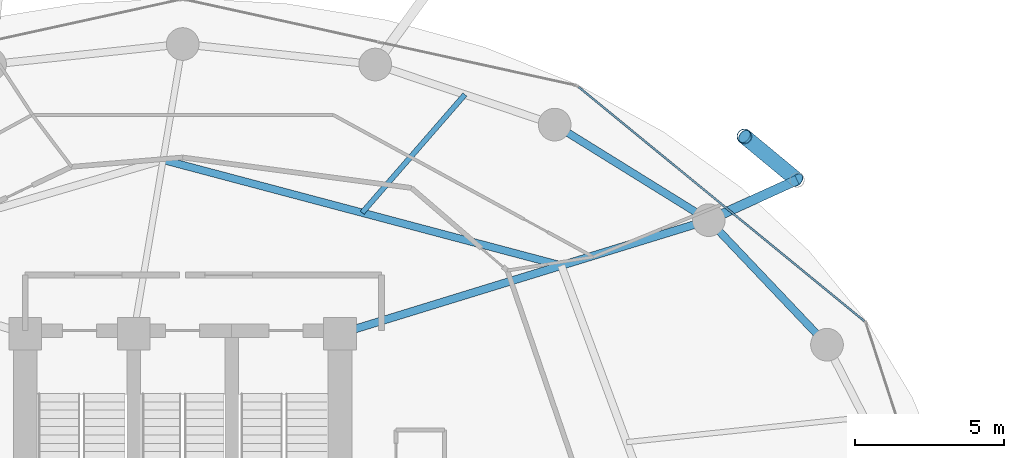
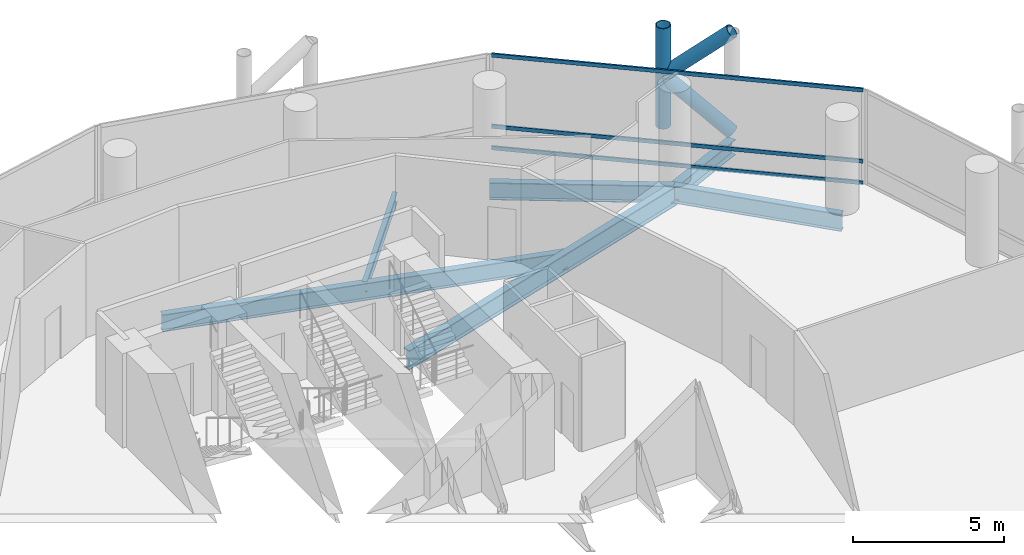
# One storey, part 17 of 25: 6 beams, 6 members, 1 element without a shape of its own.
"""IFC4 building model written with IfcOpenShell, lengths in metres."""

from ifc_helpers import new_model, si_unit, direction, frame, origin, origin_2d, place, context, subcontext, project, spatial, hollow_rectangle, hollow_circle, i_section, extrude, material, layer, layer_set, material_profile, profile_set, type_object, element, aggregate, save


model = new_model("IFC4")

# Units and contexts
model_context = context("Model", 3, precision=1e-05, world=origin(), true_north=direction((0.0, 1.0)))
body_context = subcontext(model_context, "Body", "Model", "MODEL_VIEW")
ifc_project = project(units=[si_unit("LENGTHUNIT", "METRE"), si_unit("AREAUNIT", "SQUARE_METRE"), si_unit("VOLUMEUNIT", "CUBIC_METRE"), si_unit("PLANEANGLEUNIT", "RADIAN"), si_unit("MASSUNIT", "GRAM", prefix="KILO")], contexts=[model_context])

# Site, building, storey
site_placement = place(None, origin())
site = spatial("IfcSite", under=ifc_project, at=site_placement, CompositionType="ELEMENT")
building_placement = place(site_placement, origin())
building = spatial("IfcBuilding", under=site, at=building_placement, Name="Nuhasar Tower", CompositionType="ELEMENT")
storey_placement = place(building_placement, frame((0.0, 0.0, 61.5)))
storey = spatial("IfcBuildingStorey", under=building, at=storey_placement, Name="L14", CompositionType="ELEMENT", Elevation=61.5)

# Beams
ifc_material_1 = material(Name="Steel S355", Category="steel")
ifc_material_profile_1 = material_profile(ifc_material_1, i_section(OverallWidth=0.25390625, OverallDepth=0.68408203125, WebThickness=0.012451171875, FlangeThickness=0.018798828125, at=origin_2d()), Name="W27X94")
ifc_profile_set_1 = profile_set([ifc_material_profile_1], Name="Steel S355")
beam_type_1 = type_object("IfcBeamType", Name="BM-INRING-W27X94", PredefinedType="BEAM", material=ifc_profile_set_1)
beam_1_placement = place(storey_placement, frame((51.748046875, 39.591064453125, -0.592041015625), z_axis=(-0.96653253005, 0.256544086574, 0.0), x_axis=(-0.256544086574, -0.96653253005, 0.0)))
element("IfcBeam", 1, at=beam_1_placement, inside=storey, type_object=beam_type_1, Name="L14 Inner Header Beam 05", PredefinedType="BEAM", context=body_context, shape_type="SweptSolid", body=[
    extrude(i_section(OverallWidth=0.25390625, OverallDepth=0.68408203125, WebThickness=0.012451171875, FlangeThickness=0.018798828125, at=origin_2d()), origin(), (0.0, 0.0, 1.0), 13.872314453125),
])
ifc_material_profile_2 = material_profile(ifc_material_1, i_section(OverallWidth=0.177978515625, OverallDepth=0.406005859375, WebThickness=0.0078125, FlangeThickness=0.0126953125, at=origin_2d()), Name="W16X40")
ifc_profile_set_2 = profile_set([ifc_material_profile_2], Name="Steel S355")
beam_type_2 = type_object("IfcBeamType", Name="BM-JST-W16X40", PredefinedType="JOIST", material=ifc_profile_set_2)
beam_2_placement = place(storey_placement, frame((45.0439453125, 41.3701171875, -0.452880859375), z_axis=(0.656174129694, 0.754609509296, 0.0), x_axis=(-0.754609509296, 0.656174129694, 0.0)))
element("IfcBeam", 2, at=beam_2_placement, inside=storey, type_object=beam_type_2, Name="L14 Secondary Floor Joist 05", PredefinedType="JOIST", context=body_context, shape_type="SweptSolid", body=[
    extrude(i_section(OverallWidth=0.177978515625, OverallDepth=0.406005859375, WebThickness=0.0078125, FlangeThickness=0.0126953125, at=origin_2d()), origin(), (0.0, 0.0, 1.0), 5.27294921875),
])
ifc_material_profile_3 = material_profile(ifc_material_1, i_section(OverallWidth=0.26611328125, OverallDepth=0.779052734375, WebThickness=0.0166015625, FlangeThickness=0.030029296875, at=origin_2d()), Name="W30X148")
ifc_profile_set_3 = profile_set([ifc_material_profile_3], Name="Steel S355")
beam_type_3 = type_object("IfcBeamType", Name="BM-RAD-W30X148", PredefinedType="BEAM", material=ifc_profile_set_3)
beam_3_placement = place(storey_placement, frame((44.300048828125, 37.300048828125, -0.638916015625), z_axis=(0.955789576103, 0.294051502653, 0.0), x_axis=(-0.294051502653, 0.955789576103, 0.0)))
element("IfcBeam", 3, at=beam_3_placement, inside=storey, type_object=beam_type_3, Name="L14 Radial Floor Girder 05", PredefinedType="BEAM", context=body_context, shape_type="SweptSolid", body=[
    extrude(i_section(OverallWidth=0.26611328125, OverallDepth=0.779052734375, WebThickness=0.0166015625, FlangeThickness=0.030029296875, at=origin_2d()), origin(), (0.0, 0.0, 1.0), 12.987060546875),
])
ifc_material_profile_4 = material_profile(ifc_material_1, i_section(OverallWidth=0.256103515625, OverallDepth=0.693115234375, WebThickness=0.014404296875, FlangeThickness=0.023681640625, at=origin_2d()), Name="W27X114")
ifc_profile_set_4 = profile_set([ifc_material_profile_4], Name="Steel S355")
beam_type_4 = type_object("IfcBeamType", Name="BM-RING-W27X114", PredefinedType="SPANDREL", material=ifc_profile_set_4)
beam_4_placement = place(storey_placement, frame((60.694091796875, 36.925048828125, -0.595947265625), z_axis=(-0.688480893507, 0.725254478976, 0.0), x_axis=(-0.725254478976, -0.688480893507, 0.0)))
element("IfcBeam", 4, at=beam_4_placement, inside=storey, type_object=beam_type_4, Name="L14 Perimeter Ring Spandrel 03", PredefinedType="SPANDREL", context=body_context, shape_type="SweptSolid", body=[
    extrude(i_section(OverallWidth=0.256103515625, OverallDepth=0.693115234375, WebThickness=0.014404296875, FlangeThickness=0.023681640625, at=origin_2d()), origin(), (0.0, 0.0, 1.0), 5.782470703125),
])
beam_5_placement = place(storey_placement, frame((56.712890625, 41.118896484375, -0.595947265625), z_axis=(-0.849795216549, 0.527112976439, 0.0), x_axis=(-0.527112976439, -0.849795216549, 0.0)))
element("IfcBeam", 5, at=beam_5_placement, inside=storey, type_object=beam_type_4, Name="L14 Perimeter Ring Spandrel 04", PredefinedType="SPANDREL", context=body_context, shape_type="SweptSolid", body=[
    extrude(i_section(OverallWidth=0.256103515625, OverallDepth=0.693115234375, WebThickness=0.014404296875, FlangeThickness=0.023681640625, at=origin_2d()), origin(), (0.0, 0.0, 1.0), 6.10498046875),
])
ifc_material_profile_5 = material_profile(ifc_material_1, i_section(OverallWidth=0.323974609375, OverallDepth=0.611083984375, WebThickness=0.0126953125, FlangeThickness=0.01904296875, at=origin_2d()), Name="W24X104")
ifc_profile_set_5 = profile_set([ifc_material_profile_5], Name="Steel S355")
beam_type_5 = type_object("IfcBeamType", Name="BM-TIE-W24X104", PredefinedType="BEAM", material=ifc_profile_set_5)
beam_6_placement = place(storey_placement, frame((56.712890625, 41.118896484375, -0.555908203125), z_axis=(0.910243528587, 0.414073325227, 0.0), x_axis=(-0.414073325227, 0.910243528587, 0.0)))
element("IfcBeam", 6, at=beam_6_placement, inside=storey, type_object=beam_type_5, Name="L14 Exoskeleton Node Tie Beam 02", PredefinedType="BEAM", context=body_context, shape_type="SweptSolid", body=[
    extrude(i_section(OverallWidth=0.323974609375, OverallDepth=0.611083984375, WebThickness=0.0126953125, FlangeThickness=0.01904296875, at=origin_2d()), origin(), (0.0, 0.0, 1.0), 3.26513671875),
])

# Curtain wall, members
ifc_material_2 = material(Name="Aluminium 6063-T6", Category="aluminium")
ifc_layer = layer(ifc_material_2, 0.199951171875)
ifc_layer_set = layer_set([ifc_layer], Name="Aluminium 6063-T6")
curtain_wall_type = type_object("IfcCurtainWallType", Name="CW-Z1-OFF", PredefinedType="NOTDEFINED", material=ifc_layer_set)
curtain_wall_placement = place(storey_placement, origin())
curtain_wall = element("IfcCurtainWall", 7, at=curtain_wall_placement, inside=storey, type_object=curtain_wall_type, Name="L14 Unitised Curtain Wall 02", PredefinedType="NOTDEFINED")
ifc_material_profile_6 = material_profile(ifc_material_2, hollow_rectangle(XDim=0.06494140625, YDim=0.14990234375, WallThickness=0.00439453125, at=origin_2d()), Name="CWT-2")
ifc_profile_set_6 = profile_set([ifc_material_profile_6], Name="Aluminium 6063-T6")
member_type_1 = type_object("IfcMemberType", Name="CW-TRN-S2", PredefinedType="USERDEFINED", material=ifc_profile_set_6)
member_1_placement = place(storey_placement, frame((61.95166015625, 37.72119140625, 0.032470703125), z_axis=(-0.773540851599, 0.633746440548, 0.0), x_axis=(-0.633746440548, -0.773540851599, 0.0)))
member_1 = element("IfcMember", 8, at=member_1_placement, type_object=member_type_1, Name="CW-Z1 transom 1.1", ObjectType="TRANSOM", PredefinedType="USERDEFINED", context=body_context, shape_type="SweptSolid", body=[
    extrude(hollow_rectangle(XDim=0.06494140625, YDim=0.14990234375, WallThickness=0.00439453125, at=origin_2d()), origin(), (0.0, 0.0, 1.0), 12.43798828125),
])
member_2_placement = place(storey_placement, frame((61.95166015625, 37.72119140625, 0.89990234375), z_axis=(-0.773540851599, 0.633746440548, 0.0), x_axis=(-0.633746440548, -0.773540851599, 0.0)))
member_2 = element("IfcMember", 9, at=member_2_placement, type_object=member_type_1, Name="CW-Z1 transom 1.2", ObjectType="TRANSOM", PredefinedType="USERDEFINED", context=body_context, shape_type="SweptSolid", body=[
    extrude(hollow_rectangle(XDim=0.06494140625, YDim=0.14990234375, WallThickness=0.00439453125, at=origin_2d()), origin(), (0.0, 0.0, 1.0), 12.43798828125),
])
member_3_placement = place(storey_placement, frame((61.95166015625, 37.72119140625, 3.767578125), z_axis=(-0.773540851599, 0.633746440548, 0.0), x_axis=(-0.633746440548, -0.773540851599, 0.0)))
member_3 = element("IfcMember", 10, at=member_3_placement, type_object=member_type_1, Name="CW-Z1 transom 1.3", ObjectType="TRANSOM", PredefinedType="USERDEFINED", context=body_context, shape_type="SweptSolid", body=[
    extrude(hollow_rectangle(XDim=0.06494140625, YDim=0.14990234375, WallThickness=0.00439453125, at=origin_2d()), origin(), (0.0, 0.0, 1.0), 12.43798828125),
])
aggregate(curtain_wall, [member_1, member_2, member_3])

# Members
ifc_material_3 = material(Name="Steel S460", Category="steel")
ifc_material_profile_7 = material_profile(ifc_material_3, hollow_circle(Radius=0.25390625, WallThickness=0.025390625, at=origin_2d()), Name="HSS508X25.4")
ifc_profile_set_7 = profile_set([ifc_material_profile_7], Name="Steel S460")
member_type_2 = type_object("IfcMemberType", Name="EXO-BRONZE-508", PredefinedType="BRACE", material=ifc_profile_set_7)
member_4_placement = place(storey_placement, frame((57.9130859375, 43.93896484375, 0.0), z_axis=(0.0, 0.0, 1.0), x_axis=(1.0, 0.0, 0.0)))
element("IfcMember", 11, at=member_4_placement, inside=storey, type_object=member_type_2, Name="L14 Exoskeleton Chord Column EC-02B", PredefinedType="BRACE", context=body_context, shape_type="SweptSolid", body=[
    extrude(hollow_circle(Radius=0.25390625, WallThickness=0.025390625, at=origin_2d()), origin(), (0.0, 0.0, 1.0), 4.050048828125),
])
member_5_placement = place(storey_placement, frame((59.68505859375, 42.470947265625, 0.0), z_axis=(-0.578101613167, 0.478937034992, 0.660619286251), x_axis=(-0.637969333506, -0.770061769929, 0.0)))
element("IfcMember", 12, at=member_5_placement, inside=storey, type_object=member_type_2, Name="L14 Bronze Diagrid Brace W1-02", PredefinedType="BRACE", context=body_context, shape_type="SweptSolid", body=[
    extrude(hollow_circle(Radius=0.25390625, WallThickness=0.025390625, at=origin_2d()), origin(), (0.0, 0.0, 1.0), 3.065185546875),
])
member_6_placement = place(storey_placement, frame((57.9130859375, 43.93896484375, 2.02490234375), z_axis=(0.578071194894, -0.478911834514, 0.660664172175), x_axis=(0.637969333506, 0.770061769929, 0.0)))
element("IfcMember", 13, at=member_6_placement, inside=storey, type_object=member_type_2, Name="L14 Bronze Diagrid Brace W2-02", PredefinedType="BRACE", context=body_context, shape_type="SweptSolid", body=[
    extrude(hollow_circle(Radius=0.25390625, WallThickness=0.025390625, at=origin_2d()), origin(), (0.0, 0.0, 1.0), 3.0654296875),
])

save(model, "model.ifc")
